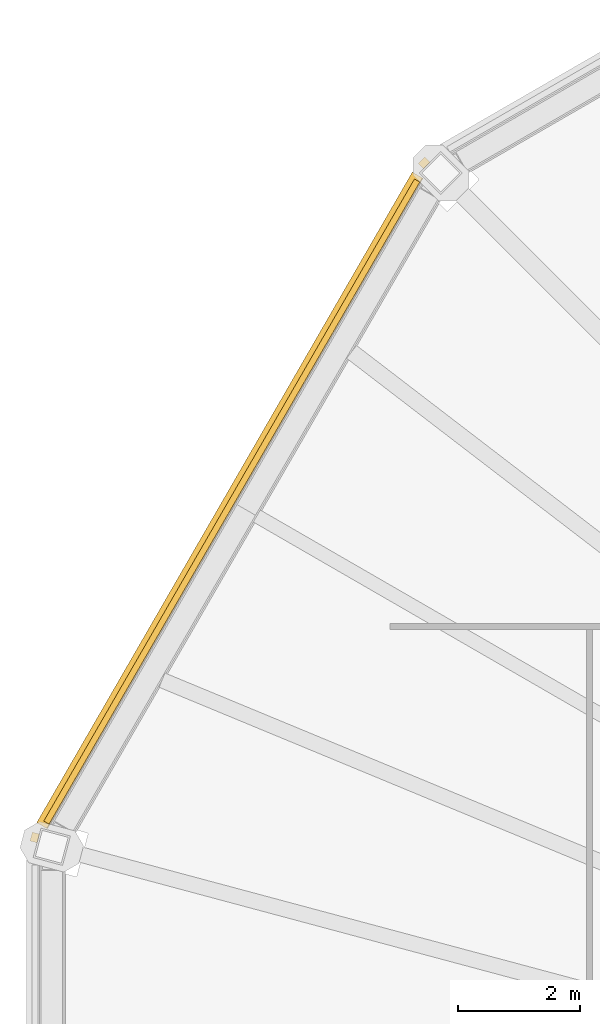
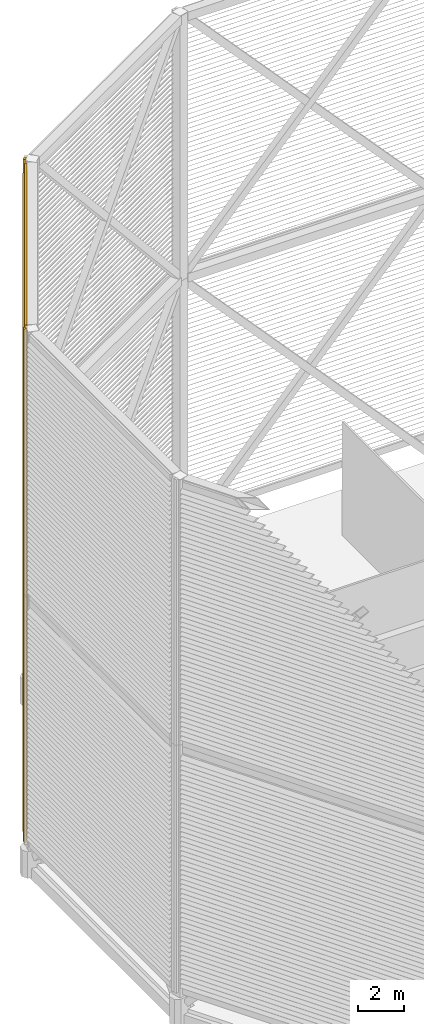
# One storey, part 14 of 18: 2 shading devices.
"""IFC4 building model written with IfcOpenShell, lengths in metres."""

from ifc_helpers import new_model, si_unit, direction, frame, origin, origin_2d, place, context, subcontext, project, spatial, rectangle, extrude, material, type_object, element, save


model = new_model("IFC4")

# Units and contexts
model_context = context("Model", 3, precision=1e-05, world=origin(), true_north=direction((0.0, 1.0)))
body_context = subcontext(model_context, "Body", "Model", "MODEL_VIEW")
ifc_project = project(units=[si_unit("LENGTHUNIT", "METRE"), si_unit("AREAUNIT", "SQUARE_METRE"), si_unit("VOLUMEUNIT", "CUBIC_METRE"), si_unit("PLANEANGLEUNIT", "RADIAN"), si_unit("MASSUNIT", "GRAM", prefix="KILO")], contexts=[model_context])

# Site, building, storey
site_placement = place(None, origin())
site = spatial("IfcSite", under=ifc_project, at=site_placement, CompositionType="ELEMENT")
building_placement = place(site_placement, origin())
building = spatial("IfcBuilding", under=site, at=building_placement, Name="Sahrelin Media Tower", CompositionType="ELEMENT")
storey_placement = place(building_placement, frame((0.0, 0.0, 335.800048828125)))
storey = spatial("IfcBuildingStorey", under=building, at=storey_placement, Name="Crown", CompositionType="ELEMENT", Elevation=335.800048828125)

# Shading devices
ifc_material = material(Name="Champagne anodised aluminium 6063-T6", Category="aluminium")
shading_device_type = type_object("IfcShadingDeviceType", Name="Crown louvre screen", PredefinedType="USERDEFINED", material=ifc_material)
shading_device_1_placement = place(storey_placement, frame((-17.44482421875, 17.44482421875, 0.949951171875), z_axis=(0.0, 0.0, 1.0), x_axis=(0.500011000363, 0.866019052629, 0.0)))
element("IfcShadingDevice", 1, at=shading_device_1_placement, inside=storey, type_object=shading_device_type, Name="Crown louvre screen CS-04A", ObjectType="LOUVRE", PredefinedType="USERDEFINED", context=body_context, shape_type="SweptSolid", body=[
    extrude(rectangle(XDim=0.10009765625, YDim=0.35009765625, at=origin_2d()), frame((-0.300048828125, 0.27490234375, 12.875), z_axis=(-1.0, 0.0, 0.0), x_axis=(0.0, -1.0, 0.0)), (0.0, 0.0, 1.0), 12.17041015625),
    extrude(rectangle(XDim=0.10009765625, YDim=0.35009765625, at=origin_2d()), frame((-0.300048828125, 0.27490234375, 0.175048828125), z_axis=(-1.0, 0.0, 0.0), x_axis=(0.0, -1.0, 0.0)), (0.0, 0.0, 1.0), 12.17041015625),
    extrude(rectangle(XDim=0.1201171875, YDim=0.14990234375, at=origin_2d()), frame((0.0078125, 0.31884765625, 0.0), z_axis=(0.0, 0.0, 1.0), x_axis=(0.258817359244, 0.965926278012, 0.0)), (0.0, 0.0, 1.0), 13.050048828125),
    extrude(rectangle(XDim=0.1201171875, YDim=0.14990234375, at=origin_2d()), frame((-12.7783203125, 0.31884765625, 0.0), z_axis=(0.0, 0.0, 1.0), x_axis=(-0.258820730961, 0.965925374563, 0.0)), (0.0, 0.0, 1.0), 13.050048828125),
    extrude(rectangle(XDim=0.25, YDim=0.02001953125, at=origin_2d()), frame((-0.219970703125, 0.31005859375, 0.449951171875), z_axis=(-1.0, 0.0, 0.0), x_axis=(0.0, -0.766044443119, 0.642787609687)), (0.0, 0.0, 1.0), 12.33056640625),
    extrude(rectangle(XDim=0.25, YDim=0.02001953125, at=origin_2d()), frame((-0.219970703125, 0.31005859375, 0.699951171875), z_axis=(-1.0, 0.0, 0.0), x_axis=(0.0, -0.766044443119, 0.642787609687)), (0.0, 0.0, 1.0), 12.33056640625),
    extrude(rectangle(XDim=0.25, YDim=0.02001953125, at=origin_2d()), frame((-0.219970703125, 0.31005859375, 0.949951171875), z_axis=(-1.0, 0.0, 0.0), x_axis=(0.0, -0.766044443119, 0.642787609687)), (0.0, 0.0, 1.0), 12.33056640625),
    extrude(rectangle(XDim=0.25, YDim=0.02001953125, at=origin_2d()), frame((-0.219970703125, 0.31005859375, 1.199951171875), z_axis=(-1.0, 0.0, 0.0), x_axis=(0.0, -0.766044443119, 0.642787609687)), (0.0, 0.0, 1.0), 12.33056640625),
    extrude(rectangle(XDim=0.25, YDim=0.02001953125, at=origin_2d()), frame((-0.219970703125, 0.31005859375, 1.449951171875), z_axis=(-1.0, 0.0, 0.0), x_axis=(0.0, -0.766044443119, 0.642787609687)), (0.0, 0.0, 1.0), 12.33056640625),
    extrude(rectangle(XDim=0.25, YDim=0.02001953125, at=origin_2d()), frame((-0.219970703125, 0.31005859375, 1.699951171875), z_axis=(-1.0, 0.0, 0.0), x_axis=(0.0, -0.766044443119, 0.642787609687)), (0.0, 0.0, 1.0), 12.33056640625),
    extrude(rectangle(XDim=0.25, YDim=0.02001953125, at=origin_2d()), frame((-0.219970703125, 0.31005859375, 1.949951171875), z_axis=(-1.0, 0.0, 0.0), x_axis=(0.0, -0.766044443119, 0.642787609687)), (0.0, 0.0, 1.0), 12.33056640625),
    extrude(rectangle(XDim=0.25, YDim=0.02001953125, at=origin_2d()), frame((-0.219970703125, 0.31005859375, 2.199951171875), z_axis=(-1.0, 0.0, 0.0), x_axis=(0.0, -0.766044443119, 0.642787609687)), (0.0, 0.0, 1.0), 12.33056640625),
    extrude(rectangle(XDim=0.25, YDim=0.02001953125, at=origin_2d()), frame((-0.219970703125, 0.31005859375, 2.449951171875), z_axis=(-1.0, 0.0, 0.0), x_axis=(0.0, -0.766044443119, 0.642787609687)), (0.0, 0.0, 1.0), 12.33056640625),
    extrude(rectangle(XDim=0.25, YDim=0.02001953125, at=origin_2d()), frame((-0.219970703125, 0.31005859375, 2.699951171875), z_axis=(-1.0, 0.0, 0.0), x_axis=(0.0, -0.766044443119, 0.642787609687)), (0.0, 0.0, 1.0), 12.33056640625),
    extrude(rectangle(XDim=0.25, YDim=0.02001953125, at=origin_2d()), frame((-0.219970703125, 0.31005859375, 2.949951171875), z_axis=(-1.0, 0.0, 0.0), x_axis=(0.0, -0.766044443119, 0.642787609687)), (0.0, 0.0, 1.0), 12.33056640625),
    extrude(rectangle(XDim=0.25, YDim=0.02001953125, at=origin_2d()), frame((-0.219970703125, 0.31005859375, 3.199951171875), z_axis=(-1.0, 0.0, 0.0), x_axis=(0.0, -0.766044443119, 0.642787609687)), (0.0, 0.0, 1.0), 12.33056640625),
    extrude(rectangle(XDim=0.25, YDim=0.02001953125, at=origin_2d()), frame((-0.219970703125, 0.31005859375, 3.449951171875), z_axis=(-1.0, 0.0, 0.0), x_axis=(0.0, -0.766044443119, 0.642787609687)), (0.0, 0.0, 1.0), 12.33056640625),
    extrude(rectangle(XDim=0.25, YDim=0.02001953125, at=origin_2d()), frame((-0.219970703125, 0.31005859375, 3.699951171875), z_axis=(-1.0, 0.0, 0.0), x_axis=(0.0, -0.766044443119, 0.642787609687)), (0.0, 0.0, 1.0), 12.33056640625),
    extrude(rectangle(XDim=0.25, YDim=0.02001953125, at=origin_2d()), frame((-0.219970703125, 0.31005859375, 3.949951171875), z_axis=(-1.0, 0.0, 0.0), x_axis=(0.0, -0.766044443119, 0.642787609687)), (0.0, 0.0, 1.0), 12.33056640625),
    extrude(rectangle(XDim=0.25, YDim=0.02001953125, at=origin_2d()), frame((-0.219970703125, 0.31005859375, 4.199951171875), z_axis=(-1.0, 0.0, 0.0), x_axis=(0.0, -0.766044443119, 0.642787609687)), (0.0, 0.0, 1.0), 12.33056640625),
    extrude(rectangle(XDim=0.25, YDim=0.02001953125, at=origin_2d()), frame((-0.219970703125, 0.31005859375, 4.449951171875), z_axis=(-1.0, 0.0, 0.0), x_axis=(0.0, -0.766044443119, 0.642787609687)), (0.0, 0.0, 1.0), 12.33056640625),
    extrude(rectangle(XDim=0.25, YDim=0.02001953125, at=origin_2d()), frame((-0.219970703125, 0.31005859375, 4.699951171875), z_axis=(-1.0, 0.0, 0.0), x_axis=(0.0, -0.766044443119, 0.642787609687)), (0.0, 0.0, 1.0), 12.33056640625),
    extrude(rectangle(XDim=0.25, YDim=0.02001953125, at=origin_2d()), frame((-0.219970703125, 0.31005859375, 4.949951171875), z_axis=(-1.0, 0.0, 0.0), x_axis=(0.0, -0.766044443119, 0.642787609687)), (0.0, 0.0, 1.0), 12.33056640625),
    extrude(rectangle(XDim=0.25, YDim=0.02001953125, at=origin_2d()), frame((-0.219970703125, 0.31005859375, 5.199951171875), z_axis=(-1.0, 0.0, 0.0), x_axis=(0.0, -0.766044443119, 0.642787609687)), (0.0, 0.0, 1.0), 12.33056640625),
    extrude(rectangle(XDim=0.25, YDim=0.02001953125, at=origin_2d()), frame((-0.219970703125, 0.31005859375, 5.449951171875), z_axis=(-1.0, 0.0, 0.0), x_axis=(0.0, -0.766044443119, 0.642787609687)), (0.0, 0.0, 1.0), 12.33056640625),
    extrude(rectangle(XDim=0.25, YDim=0.02001953125, at=origin_2d()), frame((-0.219970703125, 0.31005859375, 5.699951171875), z_axis=(-1.0, 0.0, 0.0), x_axis=(0.0, -0.766044443119, 0.642787609687)), (0.0, 0.0, 1.0), 12.33056640625),
    extrude(rectangle(XDim=0.25, YDim=0.02001953125, at=origin_2d()), frame((-0.219970703125, 0.31005859375, 5.949951171875), z_axis=(-1.0, 0.0, 0.0), x_axis=(0.0, -0.766044443119, 0.642787609687)), (0.0, 0.0, 1.0), 12.33056640625),
    extrude(rectangle(XDim=0.25, YDim=0.02001953125, at=origin_2d()), frame((-0.219970703125, 0.31005859375, 6.199951171875), z_axis=(-1.0, 0.0, 0.0), x_axis=(0.0, -0.766044443119, 0.642787609687)), (0.0, 0.0, 1.0), 12.33056640625),
    extrude(rectangle(XDim=0.25, YDim=0.02001953125, at=origin_2d()), frame((-0.219970703125, 0.31005859375, 6.449951171875), z_axis=(-1.0, 0.0, 0.0), x_axis=(0.0, -0.766044443119, 0.642787609687)), (0.0, 0.0, 1.0), 12.33056640625),
    extrude(rectangle(XDim=0.25, YDim=0.02001953125, at=origin_2d()), frame((-0.219970703125, 0.31005859375, 6.699951171875), z_axis=(-1.0, 0.0, 0.0), x_axis=(0.0, -0.766044443119, 0.642787609687)), (0.0, 0.0, 1.0), 12.33056640625),
    extrude(rectangle(XDim=0.25, YDim=0.02001953125, at=origin_2d()), frame((-0.219970703125, 0.31005859375, 6.949951171875), z_axis=(-1.0, 0.0, 0.0), x_axis=(0.0, -0.766044443119, 0.642787609687)), (0.0, 0.0, 1.0), 12.33056640625),
    extrude(rectangle(XDim=0.25, YDim=0.02001953125, at=origin_2d()), frame((-0.219970703125, 0.31005859375, 7.199951171875), z_axis=(-1.0, 0.0, 0.0), x_axis=(0.0, -0.766044443119, 0.642787609687)), (0.0, 0.0, 1.0), 12.33056640625),
    extrude(rectangle(XDim=0.25, YDim=0.02001953125, at=origin_2d()), frame((-0.219970703125, 0.31005859375, 7.449951171875), z_axis=(-1.0, 0.0, 0.0), x_axis=(0.0, -0.766044443119, 0.642787609687)), (0.0, 0.0, 1.0), 12.33056640625),
    extrude(rectangle(XDim=0.25, YDim=0.02001953125, at=origin_2d()), frame((-0.219970703125, 0.31005859375, 7.699951171875), z_axis=(-1.0, 0.0, 0.0), x_axis=(0.0, -0.766044443119, 0.642787609687)), (0.0, 0.0, 1.0), 12.33056640625),
    extrude(rectangle(XDim=0.25, YDim=0.02001953125, at=origin_2d()), frame((-0.219970703125, 0.31005859375, 7.949951171875), z_axis=(-1.0, 0.0, 0.0), x_axis=(0.0, -0.766044443119, 0.642787609687)), (0.0, 0.0, 1.0), 12.33056640625),
    extrude(rectangle(XDim=0.25, YDim=0.02001953125, at=origin_2d()), frame((-0.219970703125, 0.31005859375, 8.199951171875), z_axis=(-1.0, 0.0, 0.0), x_axis=(0.0, -0.766044443119, 0.642787609687)), (0.0, 0.0, 1.0), 12.33056640625),
    extrude(rectangle(XDim=0.25, YDim=0.02001953125, at=origin_2d()), frame((-0.219970703125, 0.31005859375, 8.449951171875), z_axis=(-1.0, 0.0, 0.0), x_axis=(0.0, -0.766044443119, 0.642787609687)), (0.0, 0.0, 1.0), 12.33056640625),
    extrude(rectangle(XDim=0.25, YDim=0.02001953125, at=origin_2d()), frame((-0.219970703125, 0.31005859375, 8.699951171875), z_axis=(-1.0, 0.0, 0.0), x_axis=(0.0, -0.766044443119, 0.642787609687)), (0.0, 0.0, 1.0), 12.33056640625),
    extrude(rectangle(XDim=0.25, YDim=0.02001953125, at=origin_2d()), frame((-0.219970703125, 0.31005859375, 8.949951171875), z_axis=(-1.0, 0.0, 0.0), x_axis=(0.0, -0.766044443119, 0.642787609687)), (0.0, 0.0, 1.0), 12.33056640625),
    extrude(rectangle(XDim=0.25, YDim=0.02001953125, at=origin_2d()), frame((-0.219970703125, 0.31005859375, 9.199951171875), z_axis=(-1.0, 0.0, 0.0), x_axis=(0.0, -0.766044443119, 0.642787609687)), (0.0, 0.0, 1.0), 12.33056640625),
    extrude(rectangle(XDim=0.25, YDim=0.02001953125, at=origin_2d()), frame((-0.219970703125, 0.31005859375, 9.449951171875), z_axis=(-1.0, 0.0, 0.0), x_axis=(0.0, -0.766044443119, 0.642787609687)), (0.0, 0.0, 1.0), 12.33056640625),
    extrude(rectangle(XDim=0.25, YDim=0.02001953125, at=origin_2d()), frame((-0.219970703125, 0.31005859375, 9.699951171875), z_axis=(-1.0, 0.0, 0.0), x_axis=(0.0, -0.766044443119, 0.642787609687)), (0.0, 0.0, 1.0), 12.33056640625),
    extrude(rectangle(XDim=0.25, YDim=0.02001953125, at=origin_2d()), frame((-0.219970703125, 0.31005859375, 9.949951171875), z_axis=(-1.0, 0.0, 0.0), x_axis=(0.0, -0.766044443119, 0.642787609687)), (0.0, 0.0, 1.0), 12.33056640625),
    extrude(rectangle(XDim=0.25, YDim=0.02001953125, at=origin_2d()), frame((-0.219970703125, 0.31005859375, 10.199951171875), z_axis=(-1.0, 0.0, 0.0), x_axis=(0.0, -0.766044443119, 0.642787609687)), (0.0, 0.0, 1.0), 12.33056640625),
    extrude(rectangle(XDim=0.25, YDim=0.02001953125, at=origin_2d()), frame((-0.219970703125, 0.31005859375, 10.449951171875), z_axis=(-1.0, 0.0, 0.0), x_axis=(0.0, -0.766044443119, 0.642787609687)), (0.0, 0.0, 1.0), 12.33056640625),
    extrude(rectangle(XDim=0.25, YDim=0.02001953125, at=origin_2d()), frame((-0.219970703125, 0.31005859375, 10.699951171875), z_axis=(-1.0, 0.0, 0.0), x_axis=(0.0, -0.766044443119, 0.642787609687)), (0.0, 0.0, 1.0), 12.33056640625),
    extrude(rectangle(XDim=0.25, YDim=0.02001953125, at=origin_2d()), frame((-0.219970703125, 0.31005859375, 10.949951171875), z_axis=(-1.0, 0.0, 0.0), x_axis=(0.0, -0.766044443119, 0.642787609687)), (0.0, 0.0, 1.0), 12.33056640625),
    extrude(rectangle(XDim=0.25, YDim=0.02001953125, at=origin_2d()), frame((-0.219970703125, 0.31005859375, 11.199951171875), z_axis=(-1.0, 0.0, 0.0), x_axis=(0.0, -0.766044443119, 0.642787609687)), (0.0, 0.0, 1.0), 12.33056640625),
    extrude(rectangle(XDim=0.25, YDim=0.02001953125, at=origin_2d()), frame((-0.219970703125, 0.31005859375, 11.449951171875), z_axis=(-1.0, 0.0, 0.0), x_axis=(0.0, -0.766044443119, 0.642787609687)), (0.0, 0.0, 1.0), 12.33056640625),
    extrude(rectangle(XDim=0.25, YDim=0.02001953125, at=origin_2d()), frame((-0.219970703125, 0.31005859375, 11.699951171875), z_axis=(-1.0, 0.0, 0.0), x_axis=(0.0, -0.766044443119, 0.642787609687)), (0.0, 0.0, 1.0), 12.33056640625),
    extrude(rectangle(XDim=0.25, YDim=0.02001953125, at=origin_2d()), frame((-0.219970703125, 0.31005859375, 11.949951171875), z_axis=(-1.0, 0.0, 0.0), x_axis=(0.0, -0.766044443119, 0.642787609687)), (0.0, 0.0, 1.0), 12.33056640625),
    extrude(rectangle(XDim=0.25, YDim=0.02001953125, at=origin_2d()), frame((-0.219970703125, 0.31005859375, 12.199951171875), z_axis=(-1.0, 0.0, 0.0), x_axis=(0.0, -0.766044443119, 0.642787609687)), (0.0, 0.0, 1.0), 12.33056640625),
    extrude(rectangle(XDim=0.25, YDim=0.02001953125, at=origin_2d()), frame((-0.219970703125, 0.31005859375, 12.449951171875), z_axis=(-1.0, 0.0, 0.0), x_axis=(0.0, -0.766044443119, 0.642787609687)), (0.0, 0.0, 1.0), 12.33056640625),
])
shading_device_2_placement = place(storey_placement, frame((-17.44482421875, 17.44482421875, 14.0), z_axis=(0.0, 0.0, 1.0), x_axis=(0.500011000363, 0.866019052629, 0.0)))
element("IfcShadingDevice", 2, at=shading_device_2_placement, inside=storey, type_object=shading_device_type, Name="Crown louvre screen CS-04B", ObjectType="LOUVRE", PredefinedType="USERDEFINED", context=body_context, shape_type="SweptSolid", body=[
    extrude(rectangle(XDim=0.10009765625, YDim=0.35009765625, at=origin_2d()), frame((-0.300048828125, 0.27490234375, 13.77490234375), z_axis=(-1.0, 0.0, 0.0), x_axis=(0.0, -1.0, 0.0)), (0.0, 0.0, 1.0), 12.17041015625),
    extrude(rectangle(XDim=0.10009765625, YDim=0.35009765625, at=origin_2d()), frame((-0.300048828125, 0.27490234375, 0.175048828125), z_axis=(-1.0, 0.0, 0.0), x_axis=(0.0, -1.0, 0.0)), (0.0, 0.0, 1.0), 12.17041015625),
    extrude(rectangle(XDim=0.1201171875, YDim=0.14990234375, at=origin_2d()), frame((0.0078125, 0.31884765625, 0.0), z_axis=(0.0, 0.0, 1.0), x_axis=(0.258817359244, 0.965926278012, 0.0)), (0.0, 0.0, 1.0), 14.0),
    extrude(rectangle(XDim=0.1201171875, YDim=0.14990234375, at=origin_2d()), frame((-12.7783203125, 0.31884765625, 0.0), z_axis=(0.0, 0.0, 1.0), x_axis=(-0.258820730961, 0.965925374563, 0.0)), (0.0, 0.0, 1.0), 14.0),
    extrude(rectangle(XDim=0.25, YDim=0.02001953125, at=origin_2d()), frame((-0.219970703125, 0.31005859375, 0.449951171875), z_axis=(-1.0, 0.0, 0.0), x_axis=(0.0, -0.766044443119, 0.642787609687)), (0.0, 0.0, 1.0), 12.33056640625),
    extrude(rectangle(XDim=0.25, YDim=0.02001953125, at=origin_2d()), frame((-0.219970703125, 0.31005859375, 0.699951171875), z_axis=(-1.0, 0.0, 0.0), x_axis=(0.0, -0.766044443119, 0.642787609687)), (0.0, 0.0, 1.0), 12.33056640625),
    extrude(rectangle(XDim=0.25, YDim=0.02001953125, at=origin_2d()), frame((-0.219970703125, 0.31005859375, 0.949951171875), z_axis=(-1.0, 0.0, 0.0), x_axis=(0.0, -0.766044443119, 0.642787609687)), (0.0, 0.0, 1.0), 12.33056640625),
    extrude(rectangle(XDim=0.25, YDim=0.02001953125, at=origin_2d()), frame((-0.219970703125, 0.31005859375, 1.199951171875), z_axis=(-1.0, 0.0, 0.0), x_axis=(0.0, -0.766044443119, 0.642787609687)), (0.0, 0.0, 1.0), 12.33056640625),
    extrude(rectangle(XDim=0.25, YDim=0.02001953125, at=origin_2d()), frame((-0.219970703125, 0.31005859375, 1.449951171875), z_axis=(-1.0, 0.0, 0.0), x_axis=(0.0, -0.766044443119, 0.642787609687)), (0.0, 0.0, 1.0), 12.33056640625),
    extrude(rectangle(XDim=0.25, YDim=0.02001953125, at=origin_2d()), frame((-0.219970703125, 0.31005859375, 1.699951171875), z_axis=(-1.0, 0.0, 0.0), x_axis=(0.0, -0.766044443119, 0.642787609687)), (0.0, 0.0, 1.0), 12.33056640625),
    extrude(rectangle(XDim=0.25, YDim=0.02001953125, at=origin_2d()), frame((-0.219970703125, 0.31005859375, 1.949951171875), z_axis=(-1.0, 0.0, 0.0), x_axis=(0.0, -0.766044443119, 0.642787609687)), (0.0, 0.0, 1.0), 12.33056640625),
    extrude(rectangle(XDim=0.25, YDim=0.02001953125, at=origin_2d()), frame((-0.219970703125, 0.31005859375, 2.199951171875), z_axis=(-1.0, 0.0, 0.0), x_axis=(0.0, -0.766044443119, 0.642787609687)), (0.0, 0.0, 1.0), 12.33056640625),
    extrude(rectangle(XDim=0.25, YDim=0.02001953125, at=origin_2d()), frame((-0.219970703125, 0.31005859375, 2.449951171875), z_axis=(-1.0, 0.0, 0.0), x_axis=(0.0, -0.766044443119, 0.642787609687)), (0.0, 0.0, 1.0), 12.33056640625),
    extrude(rectangle(XDim=0.25, YDim=0.02001953125, at=origin_2d()), frame((-0.219970703125, 0.31005859375, 2.699951171875), z_axis=(-1.0, 0.0, 0.0), x_axis=(0.0, -0.766044443119, 0.642787609687)), (0.0, 0.0, 1.0), 12.33056640625),
    extrude(rectangle(XDim=0.25, YDim=0.02001953125, at=origin_2d()), frame((-0.219970703125, 0.31005859375, 2.949951171875), z_axis=(-1.0, 0.0, 0.0), x_axis=(0.0, -0.766044443119, 0.642787609687)), (0.0, 0.0, 1.0), 12.33056640625),
    extrude(rectangle(XDim=0.25, YDim=0.02001953125, at=origin_2d()), frame((-0.219970703125, 0.31005859375, 3.199951171875), z_axis=(-1.0, 0.0, 0.0), x_axis=(0.0, -0.766044443119, 0.642787609687)), (0.0, 0.0, 1.0), 12.33056640625),
    extrude(rectangle(XDim=0.25, YDim=0.02001953125, at=origin_2d()), frame((-0.219970703125, 0.31005859375, 3.449951171875), z_axis=(-1.0, 0.0, 0.0), x_axis=(0.0, -0.766044443119, 0.642787609687)), (0.0, 0.0, 1.0), 12.33056640625),
    extrude(rectangle(XDim=0.25, YDim=0.02001953125, at=origin_2d()), frame((-0.219970703125, 0.31005859375, 3.699951171875), z_axis=(-1.0, 0.0, 0.0), x_axis=(0.0, -0.766044443119, 0.642787609687)), (0.0, 0.0, 1.0), 12.33056640625),
    extrude(rectangle(XDim=0.25, YDim=0.02001953125, at=origin_2d()), frame((-0.219970703125, 0.31005859375, 3.949951171875), z_axis=(-1.0, 0.0, 0.0), x_axis=(0.0, -0.766044443119, 0.642787609687)), (0.0, 0.0, 1.0), 12.33056640625),
    extrude(rectangle(XDim=0.25, YDim=0.02001953125, at=origin_2d()), frame((-0.219970703125, 0.31005859375, 4.199951171875), z_axis=(-1.0, 0.0, 0.0), x_axis=(0.0, -0.766044443119, 0.642787609687)), (0.0, 0.0, 1.0), 12.33056640625),
    extrude(rectangle(XDim=0.25, YDim=0.02001953125, at=origin_2d()), frame((-0.219970703125, 0.31005859375, 4.449951171875), z_axis=(-1.0, 0.0, 0.0), x_axis=(0.0, -0.766044443119, 0.642787609687)), (0.0, 0.0, 1.0), 12.33056640625),
    extrude(rectangle(XDim=0.25, YDim=0.02001953125, at=origin_2d()), frame((-0.219970703125, 0.31005859375, 4.699951171875), z_axis=(-1.0, 0.0, 0.0), x_axis=(0.0, -0.766044443119, 0.642787609687)), (0.0, 0.0, 1.0), 12.33056640625),
    extrude(rectangle(XDim=0.25, YDim=0.02001953125, at=origin_2d()), frame((-0.219970703125, 0.31005859375, 4.949951171875), z_axis=(-1.0, 0.0, 0.0), x_axis=(0.0, -0.766044443119, 0.642787609687)), (0.0, 0.0, 1.0), 12.33056640625),
    extrude(rectangle(XDim=0.25, YDim=0.02001953125, at=origin_2d()), frame((-0.219970703125, 0.31005859375, 5.199951171875), z_axis=(-1.0, 0.0, 0.0), x_axis=(0.0, -0.766044443119, 0.642787609687)), (0.0, 0.0, 1.0), 12.33056640625),
    extrude(rectangle(XDim=0.25, YDim=0.02001953125, at=origin_2d()), frame((-0.219970703125, 0.31005859375, 5.449951171875), z_axis=(-1.0, 0.0, 0.0), x_axis=(0.0, -0.766044443119, 0.642787609687)), (0.0, 0.0, 1.0), 12.33056640625),
    extrude(rectangle(XDim=0.25, YDim=0.02001953125, at=origin_2d()), frame((-0.219970703125, 0.31005859375, 5.699951171875), z_axis=(-1.0, 0.0, 0.0), x_axis=(0.0, -0.766044443119, 0.642787609687)), (0.0, 0.0, 1.0), 12.33056640625),
    extrude(rectangle(XDim=0.25, YDim=0.02001953125, at=origin_2d()), frame((-0.219970703125, 0.31005859375, 5.949951171875), z_axis=(-1.0, 0.0, 0.0), x_axis=(0.0, -0.766044443119, 0.642787609687)), (0.0, 0.0, 1.0), 12.33056640625),
    extrude(rectangle(XDim=0.25, YDim=0.02001953125, at=origin_2d()), frame((-0.219970703125, 0.31005859375, 6.199951171875), z_axis=(-1.0, 0.0, 0.0), x_axis=(0.0, -0.766044443119, 0.642787609687)), (0.0, 0.0, 1.0), 12.33056640625),
    extrude(rectangle(XDim=0.25, YDim=0.02001953125, at=origin_2d()), frame((-0.219970703125, 0.31005859375, 6.449951171875), z_axis=(-1.0, 0.0, 0.0), x_axis=(0.0, -0.766044443119, 0.642787609687)), (0.0, 0.0, 1.0), 12.33056640625),
    extrude(rectangle(XDim=0.25, YDim=0.02001953125, at=origin_2d()), frame((-0.219970703125, 0.31005859375, 6.699951171875), z_axis=(-1.0, 0.0, 0.0), x_axis=(0.0, -0.766044443119, 0.642787609687)), (0.0, 0.0, 1.0), 12.33056640625),
    extrude(rectangle(XDim=0.25, YDim=0.02001953125, at=origin_2d()), frame((-0.219970703125, 0.31005859375, 6.949951171875), z_axis=(-1.0, 0.0, 0.0), x_axis=(0.0, -0.766044443119, 0.642787609687)), (0.0, 0.0, 1.0), 12.33056640625),
    extrude(rectangle(XDim=0.25, YDim=0.02001953125, at=origin_2d()), frame((-0.219970703125, 0.31005859375, 7.199951171875), z_axis=(-1.0, 0.0, 0.0), x_axis=(0.0, -0.766044443119, 0.642787609687)), (0.0, 0.0, 1.0), 12.33056640625),
    extrude(rectangle(XDim=0.25, YDim=0.02001953125, at=origin_2d()), frame((-0.219970703125, 0.31005859375, 7.449951171875), z_axis=(-1.0, 0.0, 0.0), x_axis=(0.0, -0.766044443119, 0.642787609687)), (0.0, 0.0, 1.0), 12.33056640625),
    extrude(rectangle(XDim=0.25, YDim=0.02001953125, at=origin_2d()), frame((-0.219970703125, 0.31005859375, 7.699951171875), z_axis=(-1.0, 0.0, 0.0), x_axis=(0.0, -0.766044443119, 0.642787609687)), (0.0, 0.0, 1.0), 12.33056640625),
    extrude(rectangle(XDim=0.25, YDim=0.02001953125, at=origin_2d()), frame((-0.219970703125, 0.31005859375, 7.949951171875), z_axis=(-1.0, 0.0, 0.0), x_axis=(0.0, -0.766044443119, 0.642787609687)), (0.0, 0.0, 1.0), 12.33056640625),
    extrude(rectangle(XDim=0.25, YDim=0.02001953125, at=origin_2d()), frame((-0.219970703125, 0.31005859375, 8.199951171875), z_axis=(-1.0, 0.0, 0.0), x_axis=(0.0, -0.766044443119, 0.642787609687)), (0.0, 0.0, 1.0), 12.33056640625),
    extrude(rectangle(XDim=0.25, YDim=0.02001953125, at=origin_2d()), frame((-0.219970703125, 0.31005859375, 8.449951171875), z_axis=(-1.0, 0.0, 0.0), x_axis=(0.0, -0.766044443119, 0.642787609687)), (0.0, 0.0, 1.0), 12.33056640625),
    extrude(rectangle(XDim=0.25, YDim=0.02001953125, at=origin_2d()), frame((-0.219970703125, 0.31005859375, 8.699951171875), z_axis=(-1.0, 0.0, 0.0), x_axis=(0.0, -0.766044443119, 0.642787609687)), (0.0, 0.0, 1.0), 12.33056640625),
    extrude(rectangle(XDim=0.25, YDim=0.02001953125, at=origin_2d()), frame((-0.219970703125, 0.31005859375, 8.949951171875), z_axis=(-1.0, 0.0, 0.0), x_axis=(0.0, -0.766044443119, 0.642787609687)), (0.0, 0.0, 1.0), 12.33056640625),
    extrude(rectangle(XDim=0.25, YDim=0.02001953125, at=origin_2d()), frame((-0.219970703125, 0.31005859375, 9.199951171875), z_axis=(-1.0, 0.0, 0.0), x_axis=(0.0, -0.766044443119, 0.642787609687)), (0.0, 0.0, 1.0), 12.33056640625),
    extrude(rectangle(XDim=0.25, YDim=0.02001953125, at=origin_2d()), frame((-0.219970703125, 0.31005859375, 9.449951171875), z_axis=(-1.0, 0.0, 0.0), x_axis=(0.0, -0.766044443119, 0.642787609687)), (0.0, 0.0, 1.0), 12.33056640625),
    extrude(rectangle(XDim=0.25, YDim=0.02001953125, at=origin_2d()), frame((-0.219970703125, 0.31005859375, 9.699951171875), z_axis=(-1.0, 0.0, 0.0), x_axis=(0.0, -0.766044443119, 0.642787609687)), (0.0, 0.0, 1.0), 12.33056640625),
    extrude(rectangle(XDim=0.25, YDim=0.02001953125, at=origin_2d()), frame((-0.219970703125, 0.31005859375, 9.949951171875), z_axis=(-1.0, 0.0, 0.0), x_axis=(0.0, -0.766044443119, 0.642787609687)), (0.0, 0.0, 1.0), 12.33056640625),
    extrude(rectangle(XDim=0.25, YDim=0.02001953125, at=origin_2d()), frame((-0.219970703125, 0.31005859375, 10.199951171875), z_axis=(-1.0, 0.0, 0.0), x_axis=(0.0, -0.766044443119, 0.642787609687)), (0.0, 0.0, 1.0), 12.33056640625),
    extrude(rectangle(XDim=0.25, YDim=0.02001953125, at=origin_2d()), frame((-0.219970703125, 0.31005859375, 10.449951171875), z_axis=(-1.0, 0.0, 0.0), x_axis=(0.0, -0.766044443119, 0.642787609687)), (0.0, 0.0, 1.0), 12.33056640625),
    extrude(rectangle(XDim=0.25, YDim=0.02001953125, at=origin_2d()), frame((-0.219970703125, 0.31005859375, 10.699951171875), z_axis=(-1.0, 0.0, 0.0), x_axis=(0.0, -0.766044443119, 0.642787609687)), (0.0, 0.0, 1.0), 12.33056640625),
    extrude(rectangle(XDim=0.25, YDim=0.02001953125, at=origin_2d()), frame((-0.219970703125, 0.31005859375, 10.949951171875), z_axis=(-1.0, 0.0, 0.0), x_axis=(0.0, -0.766044443119, 0.642787609687)), (0.0, 0.0, 1.0), 12.33056640625),
    extrude(rectangle(XDim=0.25, YDim=0.02001953125, at=origin_2d()), frame((-0.219970703125, 0.31005859375, 11.199951171875), z_axis=(-1.0, 0.0, 0.0), x_axis=(0.0, -0.766044443119, 0.642787609687)), (0.0, 0.0, 1.0), 12.33056640625),
    extrude(rectangle(XDim=0.25, YDim=0.02001953125, at=origin_2d()), frame((-0.219970703125, 0.31005859375, 11.449951171875), z_axis=(-1.0, 0.0, 0.0), x_axis=(0.0, -0.766044443119, 0.642787609687)), (0.0, 0.0, 1.0), 12.33056640625),
    extrude(rectangle(XDim=0.25, YDim=0.02001953125, at=origin_2d()), frame((-0.219970703125, 0.31005859375, 11.699951171875), z_axis=(-1.0, 0.0, 0.0), x_axis=(0.0, -0.766044443119, 0.642787609687)), (0.0, 0.0, 1.0), 12.33056640625),
    extrude(rectangle(XDim=0.25, YDim=0.02001953125, at=origin_2d()), frame((-0.219970703125, 0.31005859375, 11.949951171875), z_axis=(-1.0, 0.0, 0.0), x_axis=(0.0, -0.766044443119, 0.642787609687)), (0.0, 0.0, 1.0), 12.33056640625),
    extrude(rectangle(XDim=0.25, YDim=0.02001953125, at=origin_2d()), frame((-0.219970703125, 0.31005859375, 12.199951171875), z_axis=(-1.0, 0.0, 0.0), x_axis=(0.0, -0.766044443119, 0.642787609687)), (0.0, 0.0, 1.0), 12.33056640625),
    extrude(rectangle(XDim=0.25, YDim=0.02001953125, at=origin_2d()), frame((-0.219970703125, 0.31005859375, 12.449951171875), z_axis=(-1.0, 0.0, 0.0), x_axis=(0.0, -0.766044443119, 0.642787609687)), (0.0, 0.0, 1.0), 12.33056640625),
    extrude(rectangle(XDim=0.25, YDim=0.02001953125, at=origin_2d()), frame((-0.219970703125, 0.31005859375, 12.699951171875), z_axis=(-1.0, 0.0, 0.0), x_axis=(0.0, -0.766044443119, 0.642787609687)), (0.0, 0.0, 1.0), 12.33056640625),
    extrude(rectangle(XDim=0.25, YDim=0.02001953125, at=origin_2d()), frame((-0.219970703125, 0.31005859375, 12.949951171875), z_axis=(-1.0, 0.0, 0.0), x_axis=(0.0, -0.766044443119, 0.642787609687)), (0.0, 0.0, 1.0), 12.33056640625),
    extrude(rectangle(XDim=0.25, YDim=0.02001953125, at=origin_2d()), frame((-0.219970703125, 0.31005859375, 13.199951171875), z_axis=(-1.0, 0.0, 0.0), x_axis=(0.0, -0.766044443119, 0.642787609687)), (0.0, 0.0, 1.0), 12.33056640625),
    extrude(rectangle(XDim=0.25, YDim=0.02001953125, at=origin_2d()), frame((-0.219970703125, 0.31005859375, 13.449951171875), z_axis=(-1.0, 0.0, 0.0), x_axis=(0.0, -0.766044443119, 0.642787609687)), (0.0, 0.0, 1.0), 12.33056640625),
])

save(model, "model.ifc")
